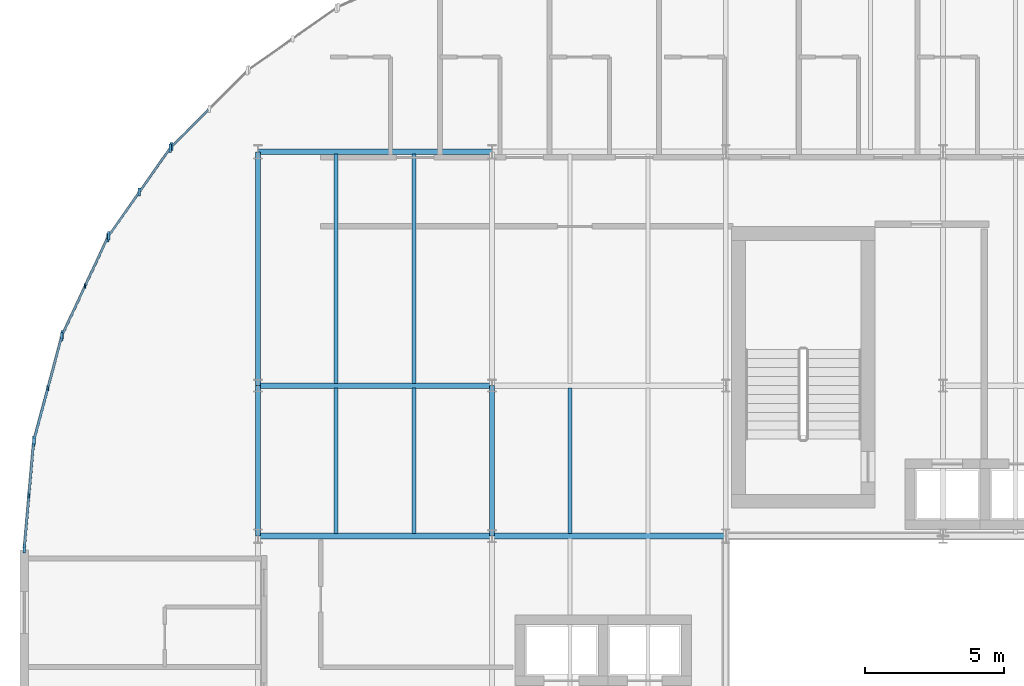
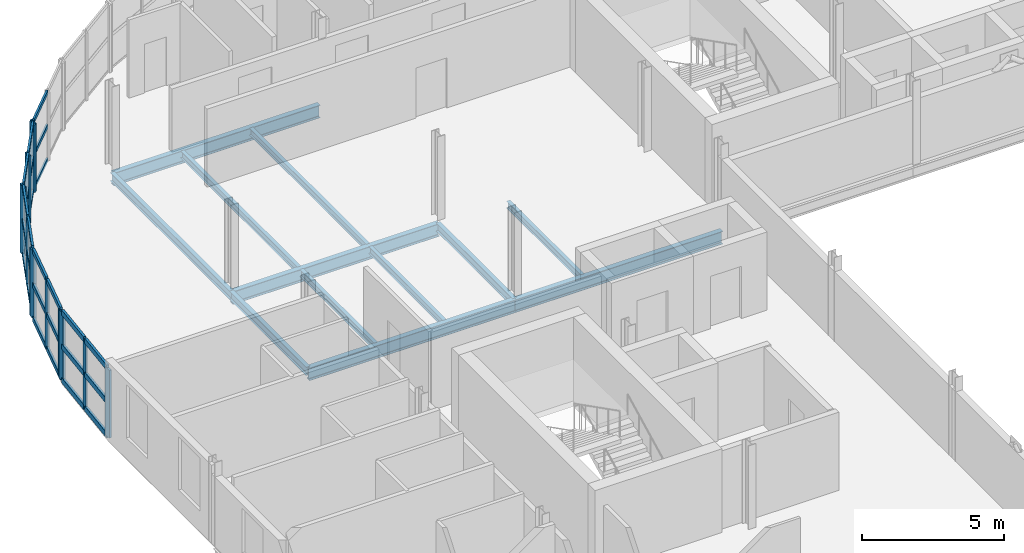
# One storey, part 8 of 34: 40 members, 12 beams, 5 elements without a shape of their own.
"""IFC4 building model written with IfcOpenShell, lengths in metres."""

from ifc_helpers import new_model, si_unit, direction, frame, origin, origin_2d, place, context, subcontext, project, spatial, rectangle, i_section, extrude, material, layer, layer_set, material_profile, profile_set, type_object, element, aggregate, save


model = new_model("IFC4")

# Units and contexts
model_context = context("Model", 3, precision=1e-05, world=origin(), true_north=direction((0.0, 1.0)))
body_context = subcontext(model_context, "Body", "Model", "MODEL_VIEW")
ifc_project = project(units=[si_unit("LENGTHUNIT", "METRE"), si_unit("AREAUNIT", "SQUARE_METRE"), si_unit("VOLUMEUNIT", "CUBIC_METRE"), si_unit("PLANEANGLEUNIT", "RADIAN"), si_unit("MASSUNIT", "GRAM", prefix="KILO")], contexts=[model_context])

# Site, building, storey
site_placement = place(None, origin())
site = spatial("IfcSite", under=ifc_project, at=site_placement, CompositionType="ELEMENT")
building_placement = place(site_placement, origin())
building = spatial("IfcBuilding", under=site, at=building_placement, Name="Sefraquen Railside Congress Hotel", CompositionType="ELEMENT")
storey_placement = place(building_placement, frame((0.0, 0.0, 31.800048828125)))
storey = spatial("IfcBuildingStorey", under=building, at=storey_placement, Name="L07", CompositionType="ELEMENT", Elevation=31.800048828125)

# Beams
ifc_material_1 = material(Name="Steel S355JR", Category="steel")
ifc_material_profile_1 = material_profile(ifc_material_1, i_section(OverallWidth=0.169921875, OverallDepth=0.360107421875, WebThickness=0.008056640625, FlangeThickness=0.0126953125, FilletRadius=0.01806640625, at=origin_2d()), Name="IPE 360")
ifc_profile_set_1 = profile_set([ifc_material_profile_1], Name="Steel S355JR")
beam_type_1 = type_object("IfcBeamType", Name="TB-BM-360", PredefinedType="BEAM", material=ifc_profile_set_1)
beam_1_placement = place(storey_placement, frame((8.39990234375, 96.0, -0.420166015625), z_axis=(0.0, 1.0, 0.0), x_axis=(-1.0, 0.0, 0.0)))
element("IfcBeam", 1, at=beam_1_placement, inside=storey, type_object=beam_type_1, Name="Floor beam BM-L07-1777", PredefinedType="BEAM", context=body_context, shape_type="SweptSolid", body=[
    extrude(i_section(OverallWidth=0.169921875, OverallDepth=0.360107421875, WebThickness=0.008056640625, FlangeThickness=0.0126953125, FilletRadius=0.01806640625, at=origin_2d()), origin(), (0.0, 0.0, 1.0), 5.39990234375),
])
beam_2_placement = place(storey_placement, frame((8.39990234375, 101.39990234375, -0.420166015625), z_axis=(0.0, 1.0, 0.0), x_axis=(-1.0, 0.0, 0.0)))
element("IfcBeam", 2, at=beam_2_placement, inside=storey, type_object=beam_type_1, Name="Floor beam BM-L07-1778", PredefinedType="BEAM", context=body_context, shape_type="SweptSolid", body=[
    extrude(i_section(OverallWidth=0.169921875, OverallDepth=0.360107421875, WebThickness=0.008056640625, FlangeThickness=0.0126953125, FilletRadius=0.01806640625, at=origin_2d()), origin(), (0.0, 0.0, 1.0), 8.400146484375),
])
beam_3_placement = place(storey_placement, frame((16.800048828125, 96.0, -0.420166015625), z_axis=(0.0, 1.0, 0.0), x_axis=(-1.0, 0.0, 0.0)))
element("IfcBeam", 3, at=beam_3_placement, inside=storey, type_object=beam_type_1, Name="Floor beam BM-L07-1783", PredefinedType="BEAM", context=body_context, shape_type="SweptSolid", body=[
    extrude(i_section(OverallWidth=0.169921875, OverallDepth=0.360107421875, WebThickness=0.008056640625, FlangeThickness=0.0126953125, FilletRadius=0.01806640625, at=origin_2d()), origin(), (0.0, 0.0, 1.0), 5.39990234375),
])
ifc_material_profile_2 = material_profile(ifc_material_1, i_section(OverallWidth=0.2099609375, OverallDepth=0.550048828125, WebThickness=0.010986328125, FlangeThickness=0.01708984375, FilletRadius=0.02392578125, at=origin_2d()), Name="IPE 550")
ifc_profile_set_2 = profile_set([ifc_material_profile_2], Name="Steel S355JR")
beam_type_2 = type_object("IfcBeamType", Name="TB-GIR-550", PredefinedType="T_BEAM", material=ifc_profile_set_2)
beam_4_placement = place(storey_placement, frame((8.39990234375, 96.0, -0.51513671875), z_axis=(1.0, 0.0, 0.0), x_axis=(0.0, 1.0, 0.0)))
element("IfcBeam", 4, at=beam_4_placement, inside=storey, type_object=beam_type_2, Name="Primary girder BM-L07-1718", PredefinedType="T_BEAM", context=body_context, shape_type="SweptSolid", body=[
    extrude(i_section(OverallWidth=0.2099609375, OverallDepth=0.550048828125, WebThickness=0.010986328125, FlangeThickness=0.01708984375, FilletRadius=0.02392578125, at=origin_2d()), origin(), (0.0, 0.0, 1.0), 8.400146484375),
])
beam_5_placement = place(storey_placement, frame((16.800048828125, 96.0, -0.51513671875), z_axis=(1.0, 0.0, 0.0), x_axis=(0.0, 1.0, 0.0)))
element("IfcBeam", 5, at=beam_5_placement, inside=storey, type_object=beam_type_2, Name="Primary girder BM-L07-1719", PredefinedType="T_BEAM", context=body_context, shape_type="SweptSolid", body=[
    extrude(i_section(OverallWidth=0.2099609375, OverallDepth=0.550048828125, WebThickness=0.010986328125, FlangeThickness=0.01708984375, FilletRadius=0.02392578125, at=origin_2d()), origin(), (0.0, 0.0, 1.0), 8.39990234375),
])
for number, where, z_axis, x_axis, name in (
    (6, (8.39990234375, 101.39990234375, -0.51513671875), (1.0, 0.0, 0.0), (0.0, 1.0, 0.0), "Primary girder BM-L07-1732"),
    (7, (8.39990234375, 109.800048828125, -0.51513671875), (1.0, 0.0, 0.0), (0.0, 1.0, 0.0), "Primary girder BM-L07-1744"),
):
    element("IfcBeam", number, at=place(storey_placement, frame(where, z_axis=z_axis, x_axis=x_axis)), inside=storey, type_object=beam_type_2, Name=name, PredefinedType="T_BEAM", context=body_context, shape_type="SweptSolid", body=[
        extrude(i_section(OverallWidth=0.2099609375, OverallDepth=0.550048828125, WebThickness=0.010986328125, FlangeThickness=0.01708984375, FilletRadius=0.02392578125, at=origin_2d()), origin(), (0.0, 0.0, 1.0), 8.400146484375),
    ])
ifc_material_profile_3 = material_profile(ifc_material_1, i_section(OverallWidth=0.14990234375, OverallDepth=0.300048828125, WebThickness=0.007080078125, FlangeThickness=0.0107421875, FilletRadius=0.014892578125, at=origin_2d()), Name="IPE 300")
ifc_profile_set_3 = profile_set([ifc_material_profile_3], Name="Steel S355JR")
beam_type_3 = type_object("IfcBeamType", Name="TB-JST-300", PredefinedType="JOIST", material=ifc_profile_set_3)
for number, where, z_axis, x_axis, name in (
    (8, (11.199951171875, 96.0849609375, -0.39013671875), (0.0, 1.0, 0.0), (-1.0, 0.0, 0.0), "Composite floor joist BM-L07-J1154"),
    (9, (14.0, 96.0849609375, -0.39013671875), (0.0, 1.0, 0.0), (-1.0, 0.0, 0.0), "Composite floor joist BM-L07-J1155"),
):
    element("IfcBeam", number, at=place(storey_placement, frame(where, z_axis=z_axis, x_axis=x_axis)), inside=storey, type_object=beam_type_3, Name=name, PredefinedType="JOIST", context=body_context, shape_type="SweptSolid", body=[
        extrude(i_section(OverallWidth=0.14990234375, OverallDepth=0.300048828125, WebThickness=0.007080078125, FlangeThickness=0.0107421875, FilletRadius=0.014892578125, at=origin_2d()), origin(), (0.0, 0.0, 1.0), 5.22998046875),
    ])
for number, where, z_axis, x_axis, name in (
    (10, (11.199951171875, 101.485107421875, -0.39013671875), (0.0, 1.0, 0.0), (-1.0, 0.0, 0.0), "Composite floor joist BM-L07-J1156"),
    (11, (14.0, 101.485107421875, -0.39013671875), (0.0, 1.0, 0.0), (-1.0, 0.0, 0.0), "Composite floor joist BM-L07-J1157"),
):
    element("IfcBeam", number, at=place(storey_placement, frame(where, z_axis=z_axis, x_axis=x_axis)), inside=storey, type_object=beam_type_3, Name=name, PredefinedType="JOIST", context=body_context, shape_type="SweptSolid", body=[
        extrude(i_section(OverallWidth=0.14990234375, OverallDepth=0.300048828125, WebThickness=0.007080078125, FlangeThickness=0.0107421875, FilletRadius=0.014892578125, at=origin_2d()), origin(), (0.0, 0.0, 1.0), 8.22998046875),
    ])
beam_6_placement = place(storey_placement, frame((19.60009765625, 96.0849609375, -0.39013671875), z_axis=(0.0, 1.0, 0.0), x_axis=(-1.0, 0.0, 0.0)))
element("IfcBeam", 12, at=beam_6_placement, inside=storey, type_object=beam_type_3, Name="Composite floor joist BM-L07-J1166", PredefinedType="JOIST", context=body_context, shape_type="SweptSolid", body=[
    extrude(i_section(OverallWidth=0.14990234375, OverallDepth=0.300048828125, WebThickness=0.007080078125, FlangeThickness=0.0107421875, FilletRadius=0.014892578125, at=origin_2d()), origin(), (0.0, 0.0, 1.0), 5.22998046875),
])

# Curtain wall, member
ifc_material_2 = material(Name="Thermally broken anodised aluminium and low-E double glazing", Category="aluminium")
ifc_layer_1 = layer(ifc_material_2, 0.199951171875)
ifc_layer_set_1 = layer_set([ifc_layer_1], Name="Thermally broken anodised aluminium and low-E double glazing")
curtain_wall_type_1 = type_object("IfcCurtainWallType", Name="TCW-UCW-06", PredefinedType="USERDEFINED", material=ifc_layer_set_1)
curtain_wall_1_placement = place(storey_placement, origin())
curtain_wall_1 = element("IfcCurtainWall", 13, at=curtain_wall_1_placement, inside=storey, type_object=curtain_wall_type_1, Name="Rotunda L07 curved curtain wall facet 7", ObjectType="UNITISED CURTAIN WALL", PredefinedType="USERDEFINED")
ifc_material_3 = material(Name="Thermally broken anodised aluminium 6063-T6", Category="aluminium")
ifc_material_profile_4 = material_profile(ifc_material_3, rectangle(XDim=0.06005859375, YDim=0.159912109375, at=origin_2d()), Name="CWM 60x160")
ifc_profile_set_4 = profile_set([ifc_material_profile_4], Name="Thermally broken anodised aluminium 6063-T6")
member_type_1 = type_object("IfcMemberType", Name="TM-CWM-01", PredefinedType="MULLION", material=ifc_profile_set_4)
member_1_placement = place(storey_placement, frame((2.185546875, 104.972900390625, 0.0), z_axis=(0.0, 0.0, 1.0), x_axis=(1.0, 0.0, 0.0)))
member_1 = element("IfcMember", 14, at=member_1_placement, type_object=member_type_1, Name="CW-L07-ROT-07 mullion 2", PredefinedType="MULLION", context=body_context, shape_type="SweptSolid", body=[
    extrude(rectangle(XDim=0.06005859375, YDim=0.159912109375, at=origin_2d()), origin(), (0.0, 0.0, 1.0), 2.909912109375),
])

ifc_layer_2 = layer(ifc_material_2, 0.199951171875)
ifc_layer_set_2 = layer_set([ifc_layer_2], Name="Thermally broken anodised aluminium and low-E double glazing")
curtain_wall_type_2 = type_object("IfcCurtainWallType", Name="TCW-UCW-07", PredefinedType="USERDEFINED", material=ifc_layer_set_2)
curtain_wall_2_placement = place(storey_placement, origin())
curtain_wall_2 = element("IfcCurtainWall", 15, at=curtain_wall_2_placement, inside=storey, type_object=curtain_wall_type_2, Name="Rotunda L07 curved curtain wall facet 8", ObjectType="UNITISED CURTAIN WALL", PredefinedType="USERDEFINED")
ifc_material_profile_5 = material_profile(ifc_material_3, rectangle(XDim=0.06494140625, YDim=0.179931640625, at=origin_2d()), Name="CWM 65x180")
ifc_profile_set_5 = profile_set([ifc_material_profile_5], Name="Thermally broken anodised aluminium 6063-T6")
member_type_2 = type_object("IfcMemberType", Name="TM-CWM-02", PredefinedType="MULLION", material=ifc_profile_set_5)
member_2_placement = place(storey_placement, frame((0.849365234375, 101.30126953125, 0.0), z_axis=(0.0, 0.0, 1.0), x_axis=(1.0, 0.0, 0.0)))
member_2 = element("IfcMember", 16, at=member_2_placement, type_object=member_type_2, Name="CW-L07-ROT-08 mullion 2", PredefinedType="MULLION", context=body_context, shape_type="SweptSolid", body=[
    extrude(rectangle(XDim=0.06494140625, YDim=0.179931640625, at=origin_2d()), origin(), (0.0, 0.0, 1.0), 2.909912109375),
])

ifc_layer_3 = layer(ifc_material_2, 0.199951171875)
ifc_layer_set_3 = layer_set([ifc_layer_3], Name="Thermally broken anodised aluminium and low-E double glazing")
curtain_wall_type_3 = type_object("IfcCurtainWallType", Name="TCW-UCW-08", PredefinedType="USERDEFINED", material=ifc_layer_set_3)
curtain_wall_3_placement = place(storey_placement, origin())
curtain_wall_3 = element("IfcCurtainWall", 17, at=curtain_wall_3_placement, inside=storey, type_object=curtain_wall_type_3, Name="Rotunda L07 curved curtain wall facet 9", ObjectType="UNITISED CURTAIN WALL", PredefinedType="USERDEFINED")
ifc_material_profile_6 = material_profile(ifc_material_3, rectangle(XDim=0.070068359375, YDim=0.199951171875, at=origin_2d()), Name="CWM 70x200")
ifc_profile_set_6 = profile_set([ifc_material_profile_6], Name="Thermally broken anodised aluminium 6063-T6")
member_type_3 = type_object("IfcMemberType", Name="TM-CWM-03", PredefinedType="MULLION", material=ifc_profile_set_6)
member_3_placement = place(storey_placement, frame((0.1708984375, 97.45361328125, 0.0), z_axis=(0.0, 0.0, 1.0), x_axis=(1.0, 0.0, 0.0)))
member_3 = element("IfcMember", 18, at=member_3_placement, type_object=member_type_3, Name="CW-L07-ROT-09 mullion 2", PredefinedType="MULLION", context=body_context, shape_type="SweptSolid", body=[
    extrude(rectangle(XDim=0.070068359375, YDim=0.199951171875, at=origin_2d()), origin(), (0.0, 0.0, 1.0), 2.909912109375),
])

ifc_layer_4 = layer(ifc_material_2, 0.199951171875)
ifc_layer_set_4 = layer_set([ifc_layer_4], Name="Thermally broken anodised aluminium and low-E double glazing")
curtain_wall_type_4 = type_object("IfcCurtainWallType", Name="TCW-UCW-05", PredefinedType="USERDEFINED", material=ifc_layer_set_4)
curtain_wall_4_placement = place(storey_placement, origin())
curtain_wall_4 = element("IfcCurtainWall", 19, at=curtain_wall_4_placement, inside=storey, type_object=curtain_wall_type_4, Name="Rotunda L07 curved curtain wall facet 6", ObjectType="UNITISED CURTAIN WALL", PredefinedType="USERDEFINED")
ifc_material_profile_7 = material_profile(ifc_material_3, rectangle(XDim=0.090087890625, YDim=0.280029296875, at=origin_2d()), Name="CWM 90x280")
ifc_profile_set_7 = profile_set([ifc_material_profile_7], Name="Thermally broken anodised aluminium 6063-T6")
member_type_4 = type_object("IfcMemberType", Name="TM-CWM-07", PredefinedType="MULLION", material=ifc_profile_set_7)
member_4_placement = place(storey_placement, frame((4.13916015625, 108.356201171875, 0.0), z_axis=(0.0, 0.0, 1.0), x_axis=(1.0, 0.0, 0.0)))
member_4 = element("IfcMember", 20, at=member_4_placement, type_object=member_type_4, Name="CW-L07-ROT-06 mullion 2", PredefinedType="MULLION", context=body_context, shape_type="SweptSolid", body=[
    extrude(rectangle(XDim=0.090087890625, YDim=0.280029296875, at=origin_2d()), origin(), (0.0, 0.0, 1.0), 2.909912109375),
])

ifc_layer_5 = layer(ifc_material_2, 0.199951171875)
ifc_layer_set_5 = layer_set([ifc_layer_5], Name="Thermally broken anodised aluminium and low-E double glazing")
curtain_wall_type_5 = type_object("IfcCurtainWallType", Name="TCW-UCW-04", PredefinedType="USERDEFINED", material=ifc_layer_set_5)
curtain_wall_5_placement = place(storey_placement, origin())
curtain_wall_5 = element("IfcCurtainWall", 21, at=curtain_wall_5_placement, inside=storey, type_object=curtain_wall_type_5, Name="Rotunda L07 curved curtain wall facet 5", ObjectType="UNITISED CURTAIN WALL", PredefinedType="USERDEFINED")
ifc_material_profile_8 = material_profile(ifc_material_3, rectangle(XDim=0.094970703125, YDim=0.300048828125, at=origin_2d()), Name="CWM 95x300")
ifc_profile_set_8 = profile_set([ifc_material_profile_8], Name="Thermally broken anodised aluminium 6063-T6")
member_type_5 = type_object("IfcMemberType", Name="TM-CWM-08", PredefinedType="MULLION", material=ifc_profile_set_8)
member_5_placement = place(storey_placement, frame((5.292236328125, 109.990966796875, 0.0), z_axis=(0.0, 0.0, 1.0), x_axis=(1.0, 0.0, 0.0)))
member_5 = element("IfcMember", 22, at=member_5_placement, type_object=member_type_5, Name="CW-L07-ROT-05 mullion 3", PredefinedType="MULLION", context=body_context, shape_type="SweptSolid", body=[
    extrude(rectangle(XDim=0.094970703125, YDim=0.300048828125, at=origin_2d()), origin(), (0.0, 0.0, 1.0), 2.909912109375),
])

# Member
member_6_placement = place(storey_placement, frame((5.2412109375, 109.929931640625, 0.0), z_axis=(0.0, 0.0, 1.0), x_axis=(1.0, 0.0, 0.0)))
member_6 = element("IfcMember", 23, at=member_6_placement, type_object=member_type_5, Name="CW-L07-ROT-06 mullion 1", PredefinedType="MULLION", context=body_context, shape_type="SweptSolid", body=[
    extrude(rectangle(XDim=0.094970703125, YDim=0.300048828125, at=origin_2d()), origin(), (0.0, 0.0, 1.0), 2.909912109375),
])

member_7_placement = place(storey_placement, frame((3.037353515625, 106.78271484375, 0.0), z_axis=(0.0, 0.0, 1.0), x_axis=(1.0, 0.0, 0.0)))
member_7 = element("IfcMember", 24, at=member_7_placement, type_object=member_type_5, Name="CW-L07-ROT-06 mullion 3", PredefinedType="MULLION", context=body_context, shape_type="SweptSolid", body=[
    extrude(rectangle(XDim=0.094970703125, YDim=0.300048828125, at=origin_2d()), origin(), (0.0, 0.0, 1.0), 2.909912109375),
])

member_8_placement = place(storey_placement, frame((2.99755859375, 106.713623046875, 0.0), z_axis=(0.0, 0.0, 1.0), x_axis=(1.0, 0.0, 0.0)))
member_8 = element("IfcMember", 25, at=member_8_placement, type_object=member_type_5, Name="CW-L07-ROT-07 mullion 1", PredefinedType="MULLION", context=body_context, shape_type="SweptSolid", body=[
    extrude(rectangle(XDim=0.094970703125, YDim=0.300048828125, at=origin_2d()), origin(), (0.0, 0.0, 1.0), 2.909912109375),
])

member_9_placement = place(storey_placement, frame((1.373779296875, 103.231689453125, 0.0), z_axis=(0.0, 0.0, 1.0), x_axis=(1.0, 0.0, 0.0)))
member_9 = element("IfcMember", 26, at=member_9_placement, type_object=member_type_5, Name="CW-L07-ROT-07 mullion 3", PredefinedType="MULLION", context=body_context, shape_type="SweptSolid", body=[
    extrude(rectangle(XDim=0.094970703125, YDim=0.300048828125, at=origin_2d()), origin(), (0.0, 0.0, 1.0), 2.909912109375),
])

member_10_placement = place(storey_placement, frame((1.346435546875, 103.156982421875, 0.0), z_axis=(0.0, 0.0, 1.0), x_axis=(1.0, 0.0, 0.0)))
member_10 = element("IfcMember", 27, at=member_10_placement, type_object=member_type_5, Name="CW-L07-ROT-08 mullion 1", PredefinedType="MULLION", context=body_context, shape_type="SweptSolid", body=[
    extrude(rectangle(XDim=0.094970703125, YDim=0.300048828125, at=origin_2d()), origin(), (0.0, 0.0, 1.0), 2.909912109375),
])

member_11_placement = place(storey_placement, frame((0.352294921875, 99.44580078125, 0.0), z_axis=(0.0, 0.0, 1.0), x_axis=(1.0, 0.0, 0.0)))
member_11 = element("IfcMember", 28, at=member_11_placement, type_object=member_type_5, Name="CW-L07-ROT-08 mullion 3", PredefinedType="MULLION", context=body_context, shape_type="SweptSolid", body=[
    extrude(rectangle(XDim=0.094970703125, YDim=0.300048828125, at=origin_2d()), origin(), (0.0, 0.0, 1.0), 2.909912109375),
])

member_12_placement = place(storey_placement, frame((0.33837890625, 99.3671875, 0.0), z_axis=(0.0, 0.0, 1.0), x_axis=(1.0, 0.0, 0.0)))
member_12 = element("IfcMember", 29, at=member_12_placement, type_object=member_type_5, Name="CW-L07-ROT-09 mullion 1", PredefinedType="MULLION", context=body_context, shape_type="SweptSolid", body=[
    extrude(rectangle(XDim=0.094970703125, YDim=0.300048828125, at=origin_2d()), origin(), (0.0, 0.0, 1.0), 2.909912109375),
])

member_13_placement = place(storey_placement, frame((0.00341796875, 95.539794921875, 0.0), z_axis=(0.0, 0.0, 1.0), x_axis=(1.0, 0.0, 0.0)))
member_13 = element("IfcMember", 30, at=member_13_placement, type_object=member_type_5, Name="CW-L07-ROT-09 mullion 3", PredefinedType="MULLION", context=body_context, shape_type="SweptSolid", body=[
    extrude(rectangle(XDim=0.094970703125, YDim=0.300048828125, at=origin_2d()), origin(), (0.0, 0.0, 1.0), 2.909912109375),
])

ifc_material_profile_9 = material_profile(ifc_material_3, rectangle(XDim=0.074951171875, YDim=0.1650390625, at=origin_2d()), Name="CWT 75x165")
ifc_profile_set_9 = profile_set([ifc_material_profile_9], Name="Thermally broken anodised aluminium 6063-T6")
member_type_6 = type_object("IfcMemberType", Name="TM-CWT-04", PredefinedType="USERDEFINED", material=ifc_profile_set_9)
member_14_placement = place(storey_placement, frame((6.618896484375, 111.3173828125, 0.0), z_axis=(-0.707106781187, -0.707106781187, 0.0), x_axis=(0.707106781187, -0.707106781187, 0.0)))
member_14 = element("IfcMember", 31, at=member_14_placement, type_object=member_type_6, Name="CW-L07-ROT-05 transom 1.2", ObjectType="TRANSOM", PredefinedType="USERDEFINED", context=body_context, shape_type="SweptSolid", body=[
    extrude(rectangle(XDim=0.074951171875, YDim=0.1650390625, at=origin_2d()), origin(), (0.0, 0.0, 1.0), 1.8310546875),
])

member_15_placement = place(storey_placement, frame((6.618896484375, 111.3173828125, 1.454833984375), z_axis=(-0.707106781187, -0.707106781187, 0.0), x_axis=(0.707106781187, -0.707106781187, 0.0)))
member_15 = element("IfcMember", 32, at=member_15_placement, type_object=member_type_6, Name="CW-L07-ROT-05 transom 2.2", ObjectType="TRANSOM", PredefinedType="USERDEFINED", context=body_context, shape_type="SweptSolid", body=[
    extrude(rectangle(XDim=0.074951171875, YDim=0.1650390625, at=origin_2d()), origin(), (0.0, 0.0, 1.0), 1.8310546875),
])

member_16_placement = place(storey_placement, frame((6.618896484375, 111.3173828125, 2.909912109375), z_axis=(-0.707106781187, -0.707106781187, 0.0), x_axis=(0.707106781187, -0.707106781187, 0.0)))
member_16 = element("IfcMember", 33, at=member_16_placement, type_object=member_type_6, Name="CW-L07-ROT-05 transom 3.2", ObjectType="TRANSOM", PredefinedType="USERDEFINED", context=body_context, shape_type="SweptSolid", body=[
    extrude(rectangle(XDim=0.074951171875, YDim=0.1650390625, at=origin_2d()), origin(), (0.0, 0.0, 1.0), 1.8310546875),
])

aggregate(curtain_wall_5, [member_5, member_14, member_15, member_16])

ifc_material_profile_10 = material_profile(ifc_material_3, rectangle(XDim=0.080078125, YDim=0.179931640625, at=origin_2d()), Name="CWT 80x180")
ifc_profile_set_10 = profile_set([ifc_material_profile_10], Name="Thermally broken anodised aluminium 6063-T6")
member_type_7 = type_object("IfcMemberType", Name="TM-CWT-05", PredefinedType="USERDEFINED", material=ifc_profile_set_10)
member_17_placement = place(storey_placement, frame((5.21533203125, 109.89306640625, 0.0), z_axis=(-0.573632363976, -0.819112880499, 0.0), x_axis=(0.819112880499, -0.573632363976, 0.0)))
member_17 = element("IfcMember", 34, at=member_17_placement, type_object=member_type_7, Name="CW-L07-ROT-06 transom 1.1", ObjectType="TRANSOM", PredefinedType="USERDEFINED", context=body_context, shape_type="SweptSolid", body=[
    extrude(rectangle(XDim=0.080078125, YDim=0.179931640625, at=origin_2d()), origin(), (0.0, 0.0, 1.0), 1.8310546875),
])

member_18_placement = place(storey_placement, frame((4.11328125, 108.319580078125, 0.0), z_axis=(-0.573480241742, -0.819219392063, 0.0), x_axis=(0.819219392063, -0.573480241742, 0.0)))
member_18 = element("IfcMember", 35, at=member_18_placement, type_object=member_type_7, Name="CW-L07-ROT-06 transom 1.2", ObjectType="TRANSOM", PredefinedType="USERDEFINED", context=body_context, shape_type="SweptSolid", body=[
    extrude(rectangle(XDim=0.080078125, YDim=0.179931640625, at=origin_2d()), origin(), (0.0, 0.0, 1.0), 1.8310546875),
])

member_19_placement = place(storey_placement, frame((5.21533203125, 109.89306640625, 1.454833984375), z_axis=(-0.573632363976, -0.819112880499, 0.0), x_axis=(0.819112880499, -0.573632363976, 0.0)))
member_19 = element("IfcMember", 36, at=member_19_placement, type_object=member_type_7, Name="CW-L07-ROT-06 transom 2.1", ObjectType="TRANSOM", PredefinedType="USERDEFINED", context=body_context, shape_type="SweptSolid", body=[
    extrude(rectangle(XDim=0.080078125, YDim=0.179931640625, at=origin_2d()), origin(), (0.0, 0.0, 1.0), 1.8310546875),
])

member_20_placement = place(storey_placement, frame((4.11328125, 108.319580078125, 1.454833984375), z_axis=(-0.573480241742, -0.819219392063, 0.0), x_axis=(0.819219392063, -0.573480241742, 0.0)))
member_20 = element("IfcMember", 37, at=member_20_placement, type_object=member_type_7, Name="CW-L07-ROT-06 transom 2.2", ObjectType="TRANSOM", PredefinedType="USERDEFINED", context=body_context, shape_type="SweptSolid", body=[
    extrude(rectangle(XDim=0.080078125, YDim=0.179931640625, at=origin_2d()), origin(), (0.0, 0.0, 1.0), 1.8310546875),
])

member_21_placement = place(storey_placement, frame((5.21533203125, 109.89306640625, 2.909912109375), z_axis=(-0.573632363976, -0.819112880499, 0.0), x_axis=(0.819112880499, -0.573632363976, 0.0)))
member_21 = element("IfcMember", 38, at=member_21_placement, type_object=member_type_7, Name="CW-L07-ROT-06 transom 3.1", ObjectType="TRANSOM", PredefinedType="USERDEFINED", context=body_context, shape_type="SweptSolid", body=[
    extrude(rectangle(XDim=0.080078125, YDim=0.179931640625, at=origin_2d()), origin(), (0.0, 0.0, 1.0), 1.8310546875),
])

member_22_placement = place(storey_placement, frame((4.11328125, 108.319580078125, 2.909912109375), z_axis=(-0.573480241742, -0.819219392063, 0.0), x_axis=(0.819219392063, -0.573480241742, 0.0)))
member_22 = element("IfcMember", 39, at=member_22_placement, type_object=member_type_7, Name="CW-L07-ROT-06 transom 3.2", ObjectType="TRANSOM", PredefinedType="USERDEFINED", context=body_context, shape_type="SweptSolid", body=[
    extrude(rectangle(XDim=0.080078125, YDim=0.179931640625, at=origin_2d()), origin(), (0.0, 0.0, 1.0), 1.8310546875),
])

aggregate(curtain_wall_4, [member_6, member_4, member_7, member_17, member_18, member_19, member_20, member_21, member_22])

ifc_material_profile_11 = material_profile(ifc_material_3, rectangle(XDim=0.0849609375, YDim=0.195068359375, at=origin_2d()), Name="CWT 85x195")
ifc_profile_set_11 = profile_set([ifc_material_profile_11], Name="Thermally broken anodised aluminium 6063-T6")
member_type_8 = type_object("IfcMemberType", Name="TM-CWT-06", PredefinedType="USERDEFINED", material=ifc_profile_set_11)
member_23_placement = place(storey_placement, frame((2.978515625, 106.6728515625, 0.0), z_axis=(-0.422673771403, -0.906281900386, 0.0), x_axis=(0.906281900386, -0.422673771403, 0.0)))
member_23 = element("IfcMember", 40, at=member_23_placement, type_object=member_type_8, Name="CW-L07-ROT-07 transom 1.1", ObjectType="TRANSOM", PredefinedType="USERDEFINED", context=body_context, shape_type="SweptSolid", body=[
    extrude(rectangle(XDim=0.0849609375, YDim=0.195068359375, at=origin_2d()), origin(), (0.0, 0.0, 1.0), 1.8310546875),
])

member_24_placement = place(storey_placement, frame((2.166748046875, 104.931884765625, 0.0), z_axis=(-0.422724852641, -0.906258075252, 0.0), x_axis=(0.906258075252, -0.422724852641, 0.0)))
member_24 = element("IfcMember", 41, at=member_24_placement, type_object=member_type_8, Name="CW-L07-ROT-07 transom 1.2", ObjectType="TRANSOM", PredefinedType="USERDEFINED", context=body_context, shape_type="SweptSolid", body=[
    extrude(rectangle(XDim=0.0849609375, YDim=0.195068359375, at=origin_2d()), origin(), (0.0, 0.0, 1.0), 1.830810546875),
])

member_25_placement = place(storey_placement, frame((2.978515625, 106.6728515625, 1.454833984375), z_axis=(-0.422673771403, -0.906281900386, 0.0), x_axis=(0.906281900386, -0.422673771403, 0.0)))
member_25 = element("IfcMember", 42, at=member_25_placement, type_object=member_type_8, Name="CW-L07-ROT-07 transom 2.1", ObjectType="TRANSOM", PredefinedType="USERDEFINED", context=body_context, shape_type="SweptSolid", body=[
    extrude(rectangle(XDim=0.0849609375, YDim=0.195068359375, at=origin_2d()), origin(), (0.0, 0.0, 1.0), 1.8310546875),
])

member_26_placement = place(storey_placement, frame((2.166748046875, 104.931884765625, 1.454833984375), z_axis=(-0.422724852641, -0.906258075252, 0.0), x_axis=(0.906258075252, -0.422724852641, 0.0)))
member_26 = element("IfcMember", 43, at=member_26_placement, type_object=member_type_8, Name="CW-L07-ROT-07 transom 2.2", ObjectType="TRANSOM", PredefinedType="USERDEFINED", context=body_context, shape_type="SweptSolid", body=[
    extrude(rectangle(XDim=0.0849609375, YDim=0.195068359375, at=origin_2d()), origin(), (0.0, 0.0, 1.0), 1.830810546875),
])

member_27_placement = place(storey_placement, frame((2.978515625, 106.6728515625, 2.909912109375), z_axis=(-0.422673771403, -0.906281900386, 0.0), x_axis=(0.906281900386, -0.422673771403, 0.0)))
member_27 = element("IfcMember", 44, at=member_27_placement, type_object=member_type_8, Name="CW-L07-ROT-07 transom 3.1", ObjectType="TRANSOM", PredefinedType="USERDEFINED", context=body_context, shape_type="SweptSolid", body=[
    extrude(rectangle(XDim=0.0849609375, YDim=0.195068359375, at=origin_2d()), origin(), (0.0, 0.0, 1.0), 1.8310546875),
])

member_28_placement = place(storey_placement, frame((2.166748046875, 104.931884765625, 2.909912109375), z_axis=(-0.422724852641, -0.906258075252, 0.0), x_axis=(0.906258075252, -0.422724852641, 0.0)))
member_28 = element("IfcMember", 45, at=member_28_placement, type_object=member_type_8, Name="CW-L07-ROT-07 transom 3.2", ObjectType="TRANSOM", PredefinedType="USERDEFINED", context=body_context, shape_type="SweptSolid", body=[
    extrude(rectangle(XDim=0.0849609375, YDim=0.195068359375, at=origin_2d()), origin(), (0.0, 0.0, 1.0), 1.830810546875),
])

aggregate(curtain_wall_1, [member_8, member_1, member_9, member_23, member_24, member_25, member_26, member_27, member_28])

ifc_material_profile_12 = material_profile(ifc_material_3, rectangle(XDim=0.090087890625, YDim=0.2099609375, at=origin_2d()), Name="CWT 90x210")
ifc_profile_set_12 = profile_set([ifc_material_profile_12], Name="Thermally broken anodised aluminium 6063-T6")
member_type_9 = type_object("IfcMemberType", Name="TM-CWT-07", PredefinedType="USERDEFINED", material=ifc_profile_set_12)
member_29_placement = place(storey_placement, frame((1.3349609375, 103.11328125, 0.0), z_axis=(-0.25894046868, -0.965893282759, 0.0), x_axis=(0.965893282759, -0.25894046868, 0.0)))
member_29 = element("IfcMember", 46, at=member_29_placement, type_object=member_type_9, Name="CW-L07-ROT-08 transom 1.1", ObjectType="TRANSOM", PredefinedType="USERDEFINED", context=body_context, shape_type="SweptSolid", body=[
    extrude(rectangle(XDim=0.090087890625, YDim=0.2099609375, at=origin_2d()), origin(), (0.0, 0.0, 1.0), 1.8310546875),
])

member_30_placement = place(storey_placement, frame((0.837646484375, 101.2578125, 0.0), z_axis=(-0.258816065499, -0.965926624666, 0.0), x_axis=(0.965926624666, -0.258816065499, 0.0)))
member_30 = element("IfcMember", 47, at=member_30_placement, type_object=member_type_9, Name="CW-L07-ROT-08 transom 1.2", ObjectType="TRANSOM", PredefinedType="USERDEFINED", context=body_context, shape_type="SweptSolid", body=[
    extrude(rectangle(XDim=0.090087890625, YDim=0.2099609375, at=origin_2d()), origin(), (0.0, 0.0, 1.0), 1.8310546875),
])

member_31_placement = place(storey_placement, frame((1.3349609375, 103.11328125, 1.454833984375), z_axis=(-0.25894046868, -0.965893282759, 0.0), x_axis=(0.965893282759, -0.25894046868, 0.0)))
member_31 = element("IfcMember", 48, at=member_31_placement, type_object=member_type_9, Name="CW-L07-ROT-08 transom 2.1", ObjectType="TRANSOM", PredefinedType="USERDEFINED", context=body_context, shape_type="SweptSolid", body=[
    extrude(rectangle(XDim=0.090087890625, YDim=0.2099609375, at=origin_2d()), origin(), (0.0, 0.0, 1.0), 1.8310546875),
])

member_32_placement = place(storey_placement, frame((0.837646484375, 101.2578125, 1.454833984375), z_axis=(-0.258816065499, -0.965926624666, 0.0), x_axis=(0.965926624666, -0.258816065499, 0.0)))
member_32 = element("IfcMember", 49, at=member_32_placement, type_object=member_type_9, Name="CW-L07-ROT-08 transom 2.2", ObjectType="TRANSOM", PredefinedType="USERDEFINED", context=body_context, shape_type="SweptSolid", body=[
    extrude(rectangle(XDim=0.090087890625, YDim=0.2099609375, at=origin_2d()), origin(), (0.0, 0.0, 1.0), 1.8310546875),
])

member_33_placement = place(storey_placement, frame((1.3349609375, 103.11328125, 2.909912109375), z_axis=(-0.25894046868, -0.965893282759, 0.0), x_axis=(0.965893282759, -0.25894046868, 0.0)))
member_33 = element("IfcMember", 50, at=member_33_placement, type_object=member_type_9, Name="CW-L07-ROT-08 transom 3.1", ObjectType="TRANSOM", PredefinedType="USERDEFINED", context=body_context, shape_type="SweptSolid", body=[
    extrude(rectangle(XDim=0.090087890625, YDim=0.2099609375, at=origin_2d()), origin(), (0.0, 0.0, 1.0), 1.8310546875),
])

member_34_placement = place(storey_placement, frame((0.837646484375, 101.2578125, 2.909912109375), z_axis=(-0.258816065499, -0.965926624666, 0.0), x_axis=(0.965926624666, -0.258816065499, 0.0)))
member_34 = element("IfcMember", 51, at=member_34_placement, type_object=member_type_9, Name="CW-L07-ROT-08 transom 3.2", ObjectType="TRANSOM", PredefinedType="USERDEFINED", context=body_context, shape_type="SweptSolid", body=[
    extrude(rectangle(XDim=0.090087890625, YDim=0.2099609375, at=origin_2d()), origin(), (0.0, 0.0, 1.0), 1.8310546875),
])

aggregate(curtain_wall_2, [member_10, member_2, member_11, member_29, member_30, member_31, member_32, member_33, member_34])

ifc_material_profile_13 = material_profile(ifc_material_3, rectangle(XDim=0.094970703125, YDim=0.22509765625, at=origin_2d()), Name="CWT 95x225")
ifc_profile_set_13 = profile_set([ifc_material_profile_13], Name="Thermally broken anodised aluminium 6063-T6")
member_type_10 = type_object("IfcMemberType", Name="TM-CWT-08", PredefinedType="USERDEFINED", material=ifc_profile_set_13)
member_35_placement = place(storey_placement, frame((0.33447265625, 99.322509765625, 0.0), z_axis=(-0.087193412302, -0.996191401715, 0.0), x_axis=(0.996191401715, -0.087193412302, 0.0)))
member_35 = element("IfcMember", 52, at=member_35_placement, type_object=member_type_10, Name="CW-L07-ROT-09 transom 1.1", ObjectType="TRANSOM", PredefinedType="USERDEFINED", context=body_context, shape_type="SweptSolid", body=[
    extrude(rectangle(XDim=0.094970703125, YDim=0.22509765625, at=origin_2d()), origin(), (0.0, 0.0, 1.0), 1.831298828125),
])

member_36_placement = place(storey_placement, frame((0.1669921875, 97.40869140625, 0.0), z_axis=(-0.08720499447, -0.996190387898, 0.0), x_axis=(0.996190387898, -0.08720499447, 0.0)))
member_36 = element("IfcMember", 53, at=member_36_placement, type_object=member_type_10, Name="CW-L07-ROT-09 transom 1.2", ObjectType="TRANSOM", PredefinedType="USERDEFINED", context=body_context, shape_type="SweptSolid", body=[
    extrude(rectangle(XDim=0.094970703125, YDim=0.22509765625, at=origin_2d()), origin(), (0.0, 0.0, 1.0), 1.8310546875),
])

member_37_placement = place(storey_placement, frame((0.33447265625, 99.322509765625, 1.454833984375), z_axis=(-0.087193412302, -0.996191401715, 0.0), x_axis=(0.996191401715, -0.087193412302, 0.0)))
member_37 = element("IfcMember", 54, at=member_37_placement, type_object=member_type_10, Name="CW-L07-ROT-09 transom 2.1", ObjectType="TRANSOM", PredefinedType="USERDEFINED", context=body_context, shape_type="SweptSolid", body=[
    extrude(rectangle(XDim=0.094970703125, YDim=0.22509765625, at=origin_2d()), origin(), (0.0, 0.0, 1.0), 1.831298828125),
])

member_38_placement = place(storey_placement, frame((0.1669921875, 97.40869140625, 1.454833984375), z_axis=(-0.08720499447, -0.996190387898, 0.0), x_axis=(0.996190387898, -0.08720499447, 0.0)))
member_38 = element("IfcMember", 55, at=member_38_placement, type_object=member_type_10, Name="CW-L07-ROT-09 transom 2.2", ObjectType="TRANSOM", PredefinedType="USERDEFINED", context=body_context, shape_type="SweptSolid", body=[
    extrude(rectangle(XDim=0.094970703125, YDim=0.22509765625, at=origin_2d()), origin(), (0.0, 0.0, 1.0), 1.8310546875),
])

member_39_placement = place(storey_placement, frame((0.33447265625, 99.322509765625, 2.909912109375), z_axis=(-0.087193412302, -0.996191401715, 0.0), x_axis=(0.996191401715, -0.087193412302, 0.0)))
member_39 = element("IfcMember", 56, at=member_39_placement, type_object=member_type_10, Name="CW-L07-ROT-09 transom 3.1", ObjectType="TRANSOM", PredefinedType="USERDEFINED", context=body_context, shape_type="SweptSolid", body=[
    extrude(rectangle(XDim=0.094970703125, YDim=0.22509765625, at=origin_2d()), origin(), (0.0, 0.0, 1.0), 1.831298828125),
])

member_40_placement = place(storey_placement, frame((0.1669921875, 97.40869140625, 2.909912109375), z_axis=(-0.08720499447, -0.996190387898, 0.0), x_axis=(0.996190387898, -0.08720499447, 0.0)))
member_40 = element("IfcMember", 57, at=member_40_placement, type_object=member_type_10, Name="CW-L07-ROT-09 transom 3.2", ObjectType="TRANSOM", PredefinedType="USERDEFINED", context=body_context, shape_type="SweptSolid", body=[
    extrude(rectangle(XDim=0.094970703125, YDim=0.22509765625, at=origin_2d()), origin(), (0.0, 0.0, 1.0), 1.8310546875),
])

aggregate(curtain_wall_3, [member_12, member_3, member_13, member_35, member_36, member_37, member_38, member_39, member_40])

save(model, "model.ifc")
